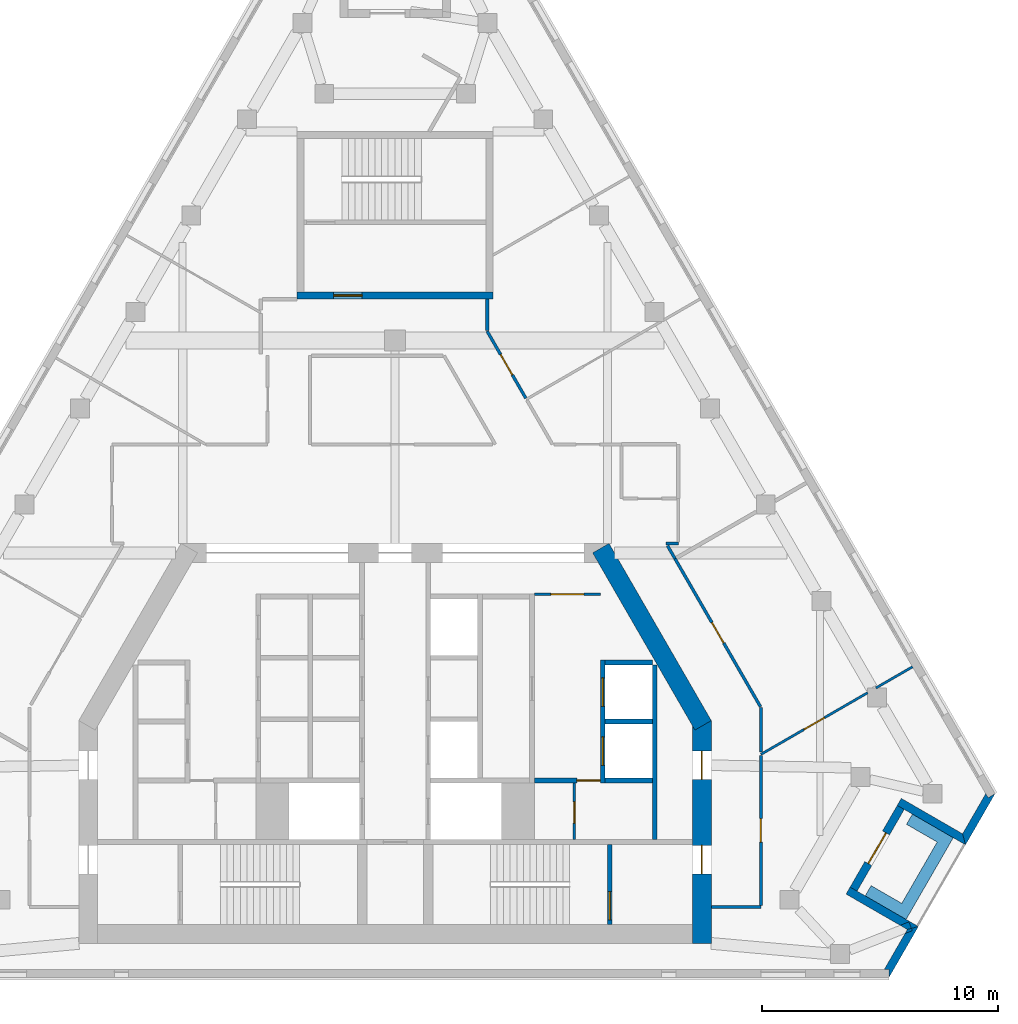
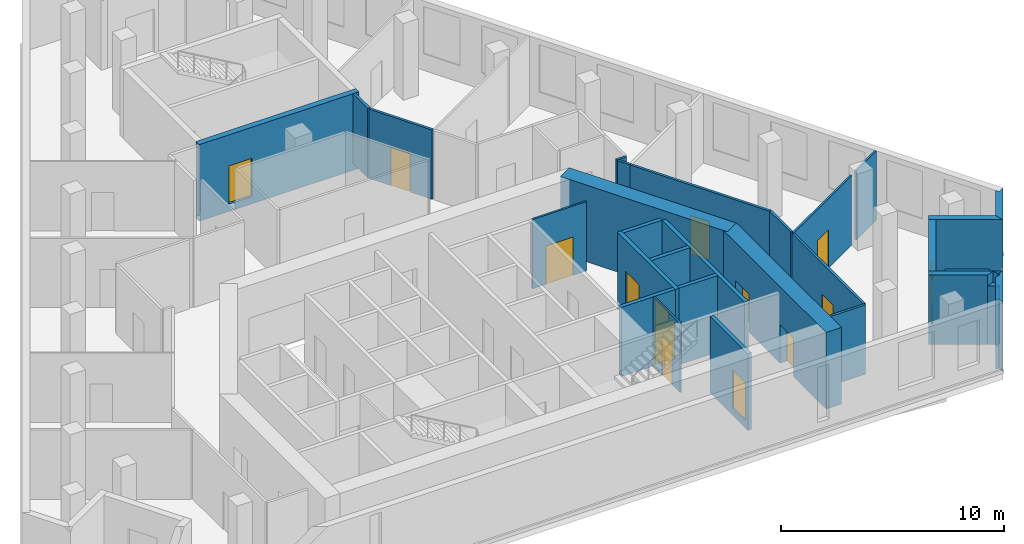
# One storey, part 5 of 9: 30 walls, 14 doors, 14 openings.
"""IFC4 building model written with IfcOpenShell, lengths in metres."""

from ifc_helpers import new_model, si_unit, direction, frame, frame_2d, origin, place, context, subcontext, project, spatial, polyline, rectangle, outline, extrude, material, layer, layer_set, type_object, element, fill, save


model = new_model("IFC4")

# Units and contexts
model_context = context("Model", 3, precision=1e-05, world=origin(), true_north=direction((0.0, 1.0)))
body_context = subcontext(model_context, "Body", "Model", "MODEL_VIEW")
ifc_project = project(units=[si_unit("LENGTHUNIT", "METRE"), si_unit("AREAUNIT", "SQUARE_METRE"), si_unit("VOLUMEUNIT", "CUBIC_METRE"), si_unit("PLANEANGLEUNIT", "RADIAN"), si_unit("MASSUNIT", "GRAM", prefix="KILO")], contexts=[model_context])

# Site, building, storey
site_placement = place(None, origin())
site = spatial("IfcSite", under=ifc_project, at=site_placement, CompositionType="ELEMENT")
building_placement = place(site_placement, origin())
building = spatial("IfcBuilding", under=site, at=building_placement, Name="Fogline Exchange Tower", CompositionType="ELEMENT")
storey_placement = place(building_placement, frame((0.0, 0.0, 283.5)))
storey = spatial("IfcBuildingStorey", under=building, at=storey_placement, Name="L64", CompositionType="ELEMENT", Elevation=283.5)

# Wall, opening, door
ifc_material_1 = material(Name="Blockwork partition", Category="masonry")
ifc_layer_1 = layer(ifc_material_1, 0.10009765625)
ifc_layer_set_1 = layer_set([ifc_layer_1], Name="CW10")
wall_type_1 = type_object("IfcWallType", Name="CW10", PredefinedType="PARTITIONING", material=ifc_layer_set_1)
wall_1_placement = place(storey_placement, frame((5.89990234375, 16.25, 0.0), z_axis=(0.0, 0.0, 1.0), x_axis=(1.0, 0.0, 0.0)))
wall_1 = element("IfcWall", 1, at=wall_1_placement, inside=storey, type_object=wall_type_1, Name="Lift lobby partition", PredefinedType="PARTITIONING", context=body_context, shape_type="SweptSolid", body=[
    extrude(rectangle(XDim=2.800048828125, YDim=0.10009765625, at=frame_2d((1.39990234375, 0.0))), origin(), (0.0, 0.0, 1.0), 3.800048828125),
])
opening_1_placement = place(wall_1_placement, frame((0.699951171875, 0.0, 0.0)))
opening_1 = element("IfcOpeningElement", 2, at=opening_1_placement, cuts=wall_1, Name="Opening T20-C017", PredefinedType="OPENING", context=body_context, shape_type="SweptSolid", body=[
    extrude(rectangle(XDim=1.39990234375, YDim=2.10009765625, at=frame_2d((0.699951171875, 1.050048828125))), frame((0.0, 0.06005859375, 0.0), z_axis=(0.0, -1.0, 0.0), x_axis=(1.0, 0.0, 0.0)), (0.0, 0.0, 1.0), 0.1201171875),
])
ifc_material_2 = material(Name="Steel and timber fire door", Category="steel")
door_type_1 = type_object("IfcDoorType", Name="D-LB1", OperationType="DOUBLE_DOOR_SINGLE_SWING", PredefinedType="DOOR", material=ifc_material_2)
door_1_placement = place(opening_1_placement, origin())
door_1 = element("IfcDoor", 3, at=door_1_placement, inside=storey, type_object=door_type_1, Name="Door to lift lobby", OperationType="DOUBLE_DOOR_SINGLE_SWING", OverallHeight=2.10009765625, OverallWidth=1.39990234375, PredefinedType="DOOR", context=body_context, shape_type="SweptSolid", body=[
    extrude(rectangle(XDim=1.39990234375, YDim=2.10009765625, at=frame_2d((0.699951171875, 1.050048828125))), frame((0.0, 0.02490234375, 0.0), z_axis=(0.0, -1.0, 0.0), x_axis=(1.0, 0.0, 0.0)), (0.0, 0.0, 1.0), 0.050048828125),
])
fill(opening_1, door_1)

wall_2_placement = place(storey_placement, frame((7.60009765625, 5.85009765625, 0.0), z_axis=(0.0, 0.0, 1.0), x_axis=(0.0, 1.0, 0.0)))
wall_2 = element("IfcWall", 4, at=wall_2_placement, inside=storey, type_object=wall_type_1, Name="WC partition", PredefinedType="PARTITIONING", context=body_context, shape_type="SweptSolid", body=[
    extrude(rectangle(XDim=2.39990234375, YDim=0.10009765625, at=frame_2d((1.199951171875, 0.0))), origin(), (0.0, 0.0, 1.0), 3.800048828125),
])
opening_2_placement = place(wall_2_placement, frame((0.699951171875, 0.0, 0.0)))
opening_2 = element("IfcOpeningElement", 5, at=opening_2_placement, cuts=wall_2, Name="Opening T20-C019", PredefinedType="OPENING", context=body_context, shape_type="SweptSolid", body=[
    extrude(rectangle(XDim=0.89990234375, YDim=2.10009765625, at=frame_2d((0.449951171875, 1.050048828125))), frame((0.0, 0.06005859375, 0.0), z_axis=(0.0, -1.0, 0.0), x_axis=(1.0, 0.0, 0.0)), (0.0, 0.0, 1.0), 0.1201171875),
])
door_type_2 = type_object("IfcDoorType", Name="D-CS1", OperationType="SINGLE_SWING_RIGHT", PredefinedType="DOOR", material=ifc_material_2)
door_2_placement = place(opening_2_placement, origin())
door_2 = element("IfcDoor", 6, at=door_2_placement, inside=storey, type_object=door_type_2, Name="Door to Cleaner's Store", OperationType="SINGLE_SWING_LEFT", OverallHeight=2.10009765625, OverallWidth=0.89990234375, PredefinedType="DOOR", context=body_context, shape_type="SweptSolid", body=[
    extrude(rectangle(XDim=0.89990234375, YDim=2.10009765625, at=frame_2d((0.449951171875, 1.050048828125))), frame((0.0, 0.02490234375, 0.0), z_axis=(0.0, -1.0, 0.0), x_axis=(1.0, 0.0, 0.0)), (0.0, 0.0, 1.0), 0.050048828125),
])
fill(opening_2, door_2)

# Wall
ifc_material_3 = material(Name="Concrete C40", Category="concrete")
ifc_layer_2 = layer(ifc_material_3, 0.199951171875)
ifc_layer_set_2 = layer_set([ifc_layer_2], Name="CW20")
wall_type_2 = type_object("IfcWallType", Name="CW20", PredefinedType="SOLIDWALL", material=ifc_layer_set_2)
wall_3_placement = place(storey_placement, frame((11.0, 5.85009765625, 0.0), z_axis=(0.0, 0.0, 1.0), x_axis=(0.0, 1.0, 0.0)))
element("IfcWall", 7, at=wall_3_placement, inside=storey, type_object=wall_type_2, Name="Service room wall", PredefinedType="SOLIDWALL", context=body_context, shape_type="SweptSolid", body=[
    extrude(rectangle(XDim=7.39990234375, YDim=0.199951171875, at=frame_2d((3.699951171875, 0.0))), origin(), (0.0, 0.0, 1.0), 3.800048828125),
])

# Wall, opening, door
wall_4_placement = place(storey_placement, frame((5.89990234375, 8.35009765625, 0.0), z_axis=(0.0, 0.0, 1.0), x_axis=(1.0, 0.0, 0.0)))
wall_4 = element("IfcWall", 8, at=wall_4_placement, inside=storey, type_object=wall_type_2, Name="WC wall", PredefinedType="SOLIDWALL", context=body_context, shape_type="SweptSolid", body=[
    extrude(rectangle(XDim=2.800048828125, YDim=0.199951171875, at=frame_2d((1.39990234375, 0.0))), origin(), (0.0, 0.0, 1.0), 3.800048828125),
])
opening_3_placement = place(wall_4_placement, frame((1.800048828125, 0.0, 0.0)))
opening_3 = element("IfcOpeningElement", 9, at=opening_3_placement, cuts=wall_4, Name="Opening T20-C018", PredefinedType="OPENING", context=body_context, shape_type="SweptSolid", body=[
    extrude(rectangle(XDim=1.0, YDim=2.10009765625, at=frame_2d((0.5, 1.050048828125))), frame((0.0, 0.10986328125, 0.0), z_axis=(0.0, -1.0, 0.0), x_axis=(1.0, 0.0, 0.0)), (0.0, 0.0, 1.0), 0.219970703125),
])
door_type_3 = type_object("IfcDoorType", Name="D-WC1", OperationType="SINGLE_SWING_LEFT", PredefinedType="DOOR", material=ifc_material_2)
door_3_placement = place(opening_3_placement, frame((1.0, 0.0, 0.0), z_axis=(0.0, 0.0, 1.0), x_axis=(-1.0, 0.0, 0.0)))
door_3 = element("IfcDoor", 10, at=door_3_placement, inside=storey, type_object=door_type_3, Name="Door to Women's WC", OperationType="SINGLE_SWING_LEFT", OverallHeight=2.10009765625, OverallWidth=1.0, PredefinedType="DOOR", context=body_context, shape_type="SweptSolid", body=[
    extrude(rectangle(XDim=1.0, YDim=2.10009765625, at=frame_2d((0.5, 1.050048828125))), frame((0.0, 0.02490234375, 0.0), z_axis=(0.0, -1.0, 0.0), x_axis=(1.0, 0.0, 0.0)), (0.0, 0.0, 1.0), 0.050048828125),
])
fill(opening_3, door_3)

ifc_layer_3 = layer(ifc_material_3, 0.199951171875)
ifc_layer_set_3 = layer_set([ifc_layer_3], Name="CW20R")
wall_type_3 = type_object("IfcWallType", Name="CW20R", PredefinedType="SOLIDWALL", material=ifc_layer_set_3)
wall_5_placement = place(storey_placement, frame((9.10009765625, 2.25, -0.39990234375), z_axis=(0.0, 0.0, 1.0), x_axis=(0.0, 1.0, 0.0)))
wall_5 = element("IfcWall", 11, at=wall_5_placement, inside=storey, type_object=wall_type_3, Name="Stair enclosure wall", PredefinedType="SOLIDWALL", context=body_context, shape_type="SweptSolid", body=[
    extrude(rectangle(XDim=3.39990234375, YDim=0.199951171875, at=frame_2d((1.699951171875, 0.0))), origin(), (0.0, 0.0, 1.0), 4.199951171875),
])
opening_4_placement = place(wall_5_placement, frame((0.199951171875, 0.0, 0.39990234375)))
opening_4 = element("IfcOpeningElement", 12, at=opening_4_placement, cuts=wall_5, Name="Opening T20-C021", PredefinedType="OPENING", context=body_context, shape_type="SweptSolid", body=[
    extrude(rectangle(XDim=1.199951171875, YDim=2.10009765625, at=frame_2d((0.60009765625, 1.050048828125))), frame((0.0, 0.10986328125, 0.0), z_axis=(0.0, -1.0, 0.0), x_axis=(1.0, 0.0, 0.0)), (0.0, 0.0, 1.0), 0.219970703125),
])
door_type_4 = type_object("IfcDoorType", Name="D-ST1", OperationType="SINGLE_SWING_LEFT", PredefinedType="DOOR", material=ifc_material_2)
door_4_placement = place(opening_4_placement, origin())
door_4 = element("IfcDoor", 13, at=door_4_placement, inside=storey, type_object=door_type_4, Name="Stair door ST2", OperationType="SINGLE_SWING_LEFT", OverallHeight=2.10009765625, OverallWidth=1.199951171875, PredefinedType="DOOR", context=body_context, shape_type="SweptSolid", body=[
    extrude(rectangle(XDim=1.199951171875, YDim=2.10009765625, at=frame_2d((0.60009765625, 1.050048828125))), frame((0.0, 0.02490234375, 0.0), z_axis=(0.0, -1.0, 0.0), x_axis=(1.0, 0.0, 0.0)), (0.0, 0.0, 1.0), 0.050048828125),
])
fill(opening_4, door_4)

# Wall, openings, doors
ifc_layer_4 = layer(ifc_material_3, 0.199951171875)
ifc_layer_set_4 = layer_set([ifc_layer_4], Name="CW20S")
wall_type_4 = type_object("IfcWallType", Name="CW20S", PredefinedType="SOLIDWALL", material=ifc_layer_set_4)
wall_6_placement = place(storey_placement, frame((8.800048828125, 8.25, -0.39990234375), z_axis=(0.0, 0.0, 1.0), x_axis=(0.0, 1.0, 0.0)))
wall_6 = element("IfcWall", 14, at=wall_6_placement, inside=storey, type_object=wall_type_4, Name="Lift shaft wall", PredefinedType="SOLIDWALL", context=body_context, shape_type="SweptSolid", body=[
    extrude(rectangle(XDim=5.199951171875, YDim=0.199951171875, at=frame_2d((2.60009765625, 0.0))), origin(), (0.0, 0.0, 1.0), 4.199951171875),
])
opening_5_placement = place(wall_6_placement, frame((0.75, 0.0, 0.39990234375)))
opening_5 = element("IfcOpeningElement", 15, at=opening_5_placement, cuts=wall_6, Name="Opening T20-LD02", PredefinedType="OPENING", context=body_context, shape_type="SweptSolid", body=[
    extrude(rectangle(XDim=1.199951171875, YDim=2.10009765625, at=frame_2d((0.60009765625, 1.050048828125))), frame((0.0, 0.10986328125, 0.0), z_axis=(0.0, -1.0, 0.0), x_axis=(1.0, 0.0, 0.0)), (0.0, 0.0, 1.0), 0.219970703125),
])
opening_6_placement = place(wall_6_placement, frame((3.25, 0.0, 0.39990234375)))
opening_6 = element("IfcOpeningElement", 16, at=opening_6_placement, cuts=wall_6, Name="Opening T20-LD03", PredefinedType="OPENING", context=body_context, shape_type="SweptSolid", body=[
    extrude(rectangle(XDim=1.199951171875, YDim=2.10009765625, at=frame_2d((0.60009765625, 1.050048828125))), frame((0.0, 0.10986328125, 0.0), z_axis=(0.0, -1.0, 0.0), x_axis=(1.0, 0.0, 0.0)), (0.0, 0.0, 1.0), 0.219970703125),
])
door_type_5 = type_object("IfcDoorType", Name="LD1", OperationType="SLIDING_TO_LEFT", PredefinedType="DOOR", material=ifc_material_2)
door_5_placement = place(opening_5_placement, origin())
door_5 = element("IfcDoor", 17, at=door_5_placement, inside=storey, type_object=door_type_5, Name="Landing door HR1", OperationType="SLIDING_TO_LEFT", OverallHeight=2.10009765625, OverallWidth=1.199951171875, PredefinedType="DOOR", context=body_context, shape_type="SweptSolid", body=[
    extrude(rectangle(XDim=1.199951171875, YDim=2.10009765625, at=frame_2d((0.60009765625, 1.050048828125))), frame((0.0, 0.02490234375, 0.0), z_axis=(0.0, -1.0, 0.0), x_axis=(1.0, 0.0, 0.0)), (0.0, 0.0, 1.0), 0.050048828125),
])
fill(opening_5, door_5)
door_6_placement = place(opening_6_placement, origin())
door_6 = element("IfcDoor", 18, at=door_6_placement, inside=storey, type_object=door_type_5, Name="Landing door HR2", OperationType="SLIDING_TO_LEFT", OverallHeight=2.10009765625, OverallWidth=1.199951171875, PredefinedType="DOOR", context=body_context, shape_type="SweptSolid", body=[
    extrude(rectangle(XDim=1.199951171875, YDim=2.10009765625, at=frame_2d((0.60009765625, 1.050048828125))), frame((0.0, 0.02490234375, 0.0), z_axis=(0.0, -1.0, 0.0), x_axis=(1.0, 0.0, 0.0)), (0.0, 0.0, 1.0), 0.050048828125),
])
fill(opening_6, door_6)

# Walls
for number, where, z_axis, x_axis, name in (
    (19, (8.89990234375, 8.35009765625, -0.39990234375), (0.0, 0.0, 1.0), (1.0, 0.0, 0.0), "Lift shaft wall"),
    (20, (8.89990234375, 10.85009765625, -0.39990234375), (0.0, 0.0, 1.0), (1.0, 0.0, 0.0), "Lift shaft wall"),
    (21, (8.89990234375, 13.35009765625, -0.39990234375), (0.0, 0.0, 1.0), (1.0, 0.0, 0.0), "Lift shaft wall"),
):
    element("IfcWall", number, at=place(storey_placement, frame(where, z_axis=z_axis, x_axis=x_axis)), inside=storey, type_object=wall_type_4, Name=name, PredefinedType="SOLIDWALL", context=body_context, shape_type="SweptSolid", body=[
        extrude(rectangle(XDim=2.0, YDim=0.199951171875, at=frame_2d((1.0, 0.0))), origin(), (0.0, 0.0, 1.0), 4.199951171875),
    ])

# Wall, opening, door
ifc_layer_5 = layer(ifc_material_3, 0.300048828125)
ifc_layer_set_5 = layer_set([ifc_layer_5], Name="CW30")
wall_type_5 = type_object("IfcWallType", Name="CW30", PredefinedType="SOLIDWALL", material=ifc_layer_set_5)
wall_7_placement = place(storey_placement, frame((-4.14990234375, 28.906982421875, -0.39990234375), z_axis=(0.0, 0.0, 1.0), x_axis=(1.0, 0.0, 0.0)))
wall_7 = element("IfcWall", 22, at=wall_7_placement, inside=storey, type_object=wall_type_5, Name="Stair enclosure wall ST3", PredefinedType="SOLIDWALL", context=body_context, shape_type="SweptSolid", body=[
    extrude(rectangle(XDim=8.2998046875, YDim=0.300048828125, at=frame_2d((4.14990234375, 0.0))), origin(), (0.0, 0.0, 1.0), 4.199951171875),
])
opening_7_placement = place(wall_7_placement, frame((1.550048828125, 0.0, 0.39990234375)))
opening_7 = element("IfcOpeningElement", 23, at=opening_7_placement, cuts=wall_7, Name="Opening T20-C026", PredefinedType="OPENING", context=body_context, shape_type="SweptSolid", body=[
    extrude(rectangle(XDim=1.199951171875, YDim=2.10009765625, at=frame_2d((0.60009765625, 1.050048828125))), frame((0.0, 0.16015625, 0.0), z_axis=(0.0, -1.0, 0.0), x_axis=(1.0, 0.0, 0.0)), (0.0, 0.0, 1.0), 0.320068359375),
])
door_type_6 = type_object("IfcDoorType", Name="D-FR1", OperationType="SINGLE_SWING_RIGHT", PredefinedType="DOOR", material=ifc_material_2)
door_7_placement = place(opening_7_placement, origin())
door_7 = element("IfcDoor", 24, at=door_7_placement, inside=storey, type_object=door_type_6, Name="Front room door ST3", OperationType="SINGLE_SWING_LEFT", OverallHeight=2.10009765625, OverallWidth=1.199951171875, PredefinedType="DOOR", context=body_context, shape_type="SweptSolid", body=[
    extrude(rectangle(XDim=1.199951171875, YDim=2.10009765625, at=frame_2d((0.60009765625, 1.050048828125))), frame((0.0, 0.02490234375, 0.0), z_axis=(0.0, -1.0, 0.0), x_axis=(1.0, 0.0, 0.0)), (0.0, 0.0, 1.0), 0.050048828125),
])
fill(opening_7, door_7)

# Walls
ifc_material_4 = material(Name="Brick masonry", Category="masonry")
ifc_layer_6 = layer(ifc_material_4, 0.340087890625)
ifc_layer_set_6 = layer_set([ifc_layer_6], Name="FW1")
wall_type_6 = type_object("IfcWallType", Name="FW1", PredefinedType="SOLIDWALL", material=ifc_layer_set_6)
wall_8_placement = place(storey_placement, origin())
element("IfcWall", 25, at=wall_8_placement, inside=storey, type_object=wall_type_6, Name="Brick wall L64 SE-c1", PredefinedType="SOLIDWALL", context=body_context, shape_type="SweptSolid", body=[
    extrude(outline(polyline([(21.709716796875, 2.041015625), (21.8818359375, 2.087158203125), (21.919921875, 1.99072265625), (21.610107421875, 1.86865234375), (21.709716796875, 2.041015625)])), origin(), (0.0, 0.0, 1.0), 3.199951171875),
])
wall_9_placement = place(storey_placement, origin())
element("IfcWall", 26, at=wall_9_placement, inside=storey, type_object=wall_type_6, Name="Brick wall L64 SE-c1", PredefinedType="SOLIDWALL", context=body_context, shape_type="SweptSolid", body=[
    extrude(outline(polyline([(20.924560546875, -0.001220703125), (20.924072265625, -0.0009765625), (20.924072265625, 0.33935546875), (20.727294921875, 0.33935546875), (21.610107421875, 1.86865234375), (21.919921875, 1.99072265625), (21.8818359375, 2.087158203125), (22.175537109375, 2.166015625), (22.175537109375, 2.165771484375), (20.924560546875, -0.001220703125)])), origin(), (0.0, 0.0, 1.0), 3.800048828125),
])
wall_10_placement = place(storey_placement, origin())
element("IfcWall", 27, at=wall_10_placement, inside=storey, type_object=wall_type_6, Name="Brick wall L64 SE-s1", PredefinedType="SOLIDWALL", context=body_context, shape_type="SweptSolid", body=[
    extrude(outline(polyline([(21.7099609375, 2.0400390625), (21.403076171875, 2.217041015625), (21.7734375, 2.36279296875), (21.88232421875, 2.086181640625), (21.7099609375, 2.0400390625)])), origin(), (0.0, 0.0, 1.0), 3.199951171875),
])
wall_11_placement = place(storey_placement, origin())
element("IfcWall", 28, at=wall_11_placement, inside=storey, type_object=wall_type_6, Name="Brick wall L64 SE-s1", PredefinedType="SOLIDWALL", context=body_context, shape_type="SweptSolid", body=[
    extrude(outline(polyline([(19.28173828125, 3.8359375), (19.576904296875, 3.66552734375), (22.17578125, 2.1650390625), (22.17578125, 2.164794921875), (21.88232421875, 2.086181640625), (21.7734375, 2.36279296875), (21.403076171875, 2.217041015625), (19.111328125, 3.540283203125), (19.28173828125, 3.8359375)])), origin(), (0.0, 0.0, 1.0), 3.800048828125),
])

# Wall, opening, door
wall_12_placement = place(storey_placement, frame((19.42919921875, 3.75, 0.0), z_axis=(0.0, 0.0, 1.0), x_axis=(0.49999894854, 0.866026010844, 0.0)))
wall_12 = element("IfcWall", 29, at=wall_12_placement, inside=storey, type_object=wall_type_6, Name="Brick wall L64 SE-bk", PredefinedType="SOLIDWALL", context=body_context, shape_type="SweptSolid", body=[
    extrude(rectangle(XDim=4.0, YDim=0.340087890625, at=frame_2d((2.0, 0.0))), origin(), (0.0, 0.0, 1.0), 3.800048828125),
])
opening_8_placement = place(wall_12_placement, frame((1.25, 0.0, 0.0)))
opening_8 = element("IfcOpeningElement", 30, at=opening_8_placement, cuts=wall_12, Name="Opening T20-E081", PredefinedType="OPENING", context=body_context, shape_type="SweptSolid", body=[
    extrude(rectangle(XDim=1.5, YDim=2.39990234375, at=frame_2d((0.75, 1.199951171875))), frame((0.0, 0.18017578125, 0.0), z_axis=(0.0, -1.0, 0.0), x_axis=(1.0, 0.0, 0.0)), (0.0, 0.0, 1.0), 0.360107421875),
])
ifc_material_5 = material(Name="Aluminium and glass", Category="aluminium")
door_type_7 = type_object("IfcDoorType", Name="ED4", OperationType="SINGLE_SWING_LEFT", PredefinedType="DOOR", material=ifc_material_5)
door_8_placement = place(opening_8_placement, frame((1.5, 0.0, 0.0), z_axis=(0.0, 0.0, 1.0), x_axis=(-1.0, 0.0, 0.0)))
door_8 = element("IfcDoor", 31, at=door_8_placement, inside=storey, type_object=door_type_7, Name="Balcony door L64 SE", OperationType="DOUBLE_DOOR_SINGLE_SWING", OverallHeight=2.39990234375, OverallWidth=1.5, PredefinedType="DOOR", context=body_context, shape_type="SweptSolid", body=[
    extrude(rectangle(XDim=1.5, YDim=2.39990234375, at=frame_2d((0.75, 1.199951171875))), frame((0.0, 0.02490234375, 0.0), z_axis=(0.0, -1.0, 0.0), x_axis=(1.0, 0.0, 0.0)), (0.0, 0.0, 1.0), 0.050048828125),
])
fill(opening_8, door_8)

# Walls
wall_13_placement = place(storey_placement, origin())
element("IfcWall", 32, at=wall_13_placement, inside=storey, type_object=wall_type_6, Name="Brick wall L64 SE-s2", PredefinedType="SOLIDWALL", context=body_context, shape_type="SweptSolid", body=[
    extrude(outline(polyline([(24.17529296875, 5.628173828125), (21.576171875, 7.128662109375), (21.28125, 7.298828125), (21.451904296875, 7.594482421875), (24.050537109375, 6.093994140625), (24.175537109375, 5.62841796875), (24.17529296875, 5.628173828125)])), origin(), (0.0, 0.0, 1.0), 3.800048828125),
])
wall_14_placement = place(storey_placement, origin())
element("IfcWall", 33, at=wall_14_placement, inside=storey, type_object=wall_type_6, Name="Brick wall L64 SE-c2", PredefinedType="SOLIDWALL", context=body_context, shape_type="SweptSolid", body=[
    extrude(outline(polyline([(25.031982421875, 7.79541015625), (25.13037109375, 7.625), (25.42529296875, 7.79541015625), (25.425537109375, 7.794921875), (24.174560546875, 5.6279296875), (24.17431640625, 5.6279296875), (24.049560546875, 6.09375), (25.031982421875, 7.79541015625)])), origin(), (0.0, 0.0, 1.0), 3.800048828125),
])
ifc_material_6 = material(Name="Concrete C30", Category="concrete")
ifc_layer_7 = layer(ifc_material_6, 0.199951171875)
ifc_layer_set_7 = layer_set([ifc_layer_7], Name="PL1")
wall_type_7 = type_object("IfcWallType", Name="PL1", PredefinedType="USERDEFINED", material=ifc_layer_set_7)
wall_15_placement = place(storey_placement, origin())
element("IfcWall", 34, at=wall_15_placement, inside=storey, type_object=wall_type_7, Name="PLANTER balcony L64 SE", ObjectType="PLANTER", PredefinedType="USERDEFINED", context=body_context, shape_type="SweptSolid", body=[
    extrude(outline(polyline([(19.9228515625, 3.465087890625), (21.221923828125, 2.715087890625), (21.221923828125, 2.715087890625), (21.655029296875, 2.465087890625), (23.405029296875, 5.49609375), (23.655029296875, 5.92919921875), (21.9228515625, 6.92919921875), (21.6728515625, 6.49609375), (22.971923828125, 5.74609375), (21.471923828125, 3.148193359375), (20.1728515625, 3.898193359375), (19.9228515625, 3.465087890625)])), origin(), (0.0, 0.0, 1.0), 1.10009765625),
])

# Wall, opening, door
ifc_material_7 = material(Name="Plasterboard partition, 2 layers each side on steel studs", Category="steel")
ifc_layer_8 = layer(ifc_material_7, 0.10009765625)
ifc_layer_set_8 = layer_set([ifc_layer_8], Name="PW1")
wall_type_8 = type_object("IfcWallType", Name="PW1", PredefinedType="PARTITIONING", material=ifc_layer_set_8)
wall_16_placement = place(storey_placement, frame((15.5, 9.4599609375, 0.0), z_axis=(0.0, 0.0, 1.0), x_axis=(0.866036909293, 0.499980071345, 0.0)))
wall_16 = element("IfcWall", 35, at=wall_16_placement, inside=storey, type_object=wall_type_8, Name="wall-L64-W046", PredefinedType="PARTITIONING", context=body_context, shape_type="SweptSolid", body=[
    extrude(rectangle(XDim=5.222900390625, YDim=0.10009765625, at=frame_2d((2.611328125, 0.0))), origin(), (0.0, 0.0, 1.0), 3.800048828125),
])
opening_9_placement = place(wall_16_placement, frame((2.111328125, 0.0, 0.0)))
opening_9 = element("IfcOpeningElement", 36, at=opening_9_placement, cuts=wall_16, Name="Opening T20-D016", PredefinedType="OPENING", context=body_context, shape_type="SweptSolid", body=[
    extrude(rectangle(XDim=1.0, YDim=2.10009765625, at=frame_2d((0.5, 1.050048828125))), frame((0.0, 0.06005859375, 0.0), z_axis=(0.0, -1.0, 0.0), x_axis=(1.0, 0.0, 0.0)), (0.0, 0.0, 1.0), 0.1201171875),
])
ifc_material_8 = material(Name="Timber door leaf with steel frame", Category="steel")
door_type_8 = type_object("IfcDoorType", Name="D1", OperationType="SINGLE_SWING_LEFT", PredefinedType="DOOR", material=ifc_material_8)
door_9_placement = place(opening_9_placement, origin())
door_9 = element("IfcDoor", 37, at=door_9_placement, inside=storey, type_object=door_type_8, Name="door-L64-D016", OperationType="SINGLE_SWING_LEFT", OverallHeight=2.10009765625, OverallWidth=1.0, PredefinedType="DOOR", context=body_context, shape_type="SweptSolid", body=[
    extrude(rectangle(XDim=1.0, YDim=2.10009765625, at=frame_2d((0.5, 1.050048828125))), frame((0.0, 0.02490234375, 0.0), z_axis=(0.0, -1.0, 0.0), x_axis=(1.0, 0.0, 0.0)), (0.0, 0.0, 1.0), 0.050048828125),
])
fill(opening_9, door_9)

# Walls
wall_17_placement = place(storey_placement, frame((20.37939453125, 12.277099609375, 0.0), z_axis=(0.0, 0.0, 1.0), x_axis=(0.866058244174, 0.499943114462, 0.0)))
element("IfcWall", 38, at=wall_17_placement, inside=storey, type_object=wall_type_8, Name="wall-L64-W047", PredefinedType="PARTITIONING", context=body_context, shape_type="SweptSolid", body=[
    extrude(rectangle(XDim=1.787841796875, YDim=0.10009765625, at=frame_2d((0.89404296875, 0.0))), origin(), (0.0, 0.0, 1.0), 3.800048828125),
])
ifc_material_9 = material(Name="Plasterboard corridor partition with mineral wool, 2 layers each side")
ifc_layer_9 = layer(ifc_material_9, 0.125)
ifc_layer_set_9 = layer_set([ifc_layer_9], Name="PW2")
wall_type_9 = type_object("IfcWallType", Name="PW2", PredefinedType="PARTITIONING", material=ifc_layer_set_9)
wall_18_placement = place(storey_placement, frame((11.54443359375, 18.305908203125, 0.0), z_axis=(0.0, 0.0, 1.0), x_axis=(0.499920965119, -0.866071029786, 0.0)))
element("IfcWall", 39, at=wall_18_placement, inside=storey, type_object=wall_type_9, Name="wall-L64-W001", PredefinedType="PARTITIONING", context=body_context, shape_type="SweptSolid", body=[
    extrude(rectangle(XDim=0.638671875, YDim=0.125, at=frame_2d((0.3193359375, 0.0))), origin(), (0.0, 0.0, 1.0), 3.800048828125),
])

# Wall, opening, door
wall_19_placement = place(storey_placement, frame((15.5, 9.416015625, 0.0), z_axis=(0.0, 0.0, 1.0), x_axis=(0.0, -1.0, 0.0)))
wall_19 = element("IfcWall", 40, at=wall_19_placement, inside=storey, type_object=wall_type_9, Name="wall-L64-W002", PredefinedType="PARTITIONING", context=body_context, shape_type="SweptSolid", body=[
    extrude(rectangle(XDim=6.353515625, YDim=0.125, at=frame_2d((3.1767578125, 0.0))), origin(), (0.0, 0.0, 1.0), 3.800048828125),
])
opening_10_placement = place(wall_19_placement, frame((2.6767578125, 0.0, 0.0)))
opening_10 = element("IfcOpeningElement", 41, at=opening_10_placement, cuts=wall_19, Name="Opening T20-D001", PredefinedType="OPENING", context=body_context, shape_type="SweptSolid", body=[
    extrude(rectangle(XDim=1.0, YDim=2.10009765625, at=frame_2d((0.5, 1.050048828125))), frame((0.0, 0.072509765625, 0.0), z_axis=(0.0, -1.0, 0.0), x_axis=(1.0, 0.0, 0.0)), (0.0, 0.0, 1.0), 0.14501953125),
])
ifc_material_10 = material(Name="Fire-rated timber door leaf with steel frame", Category="steel")
door_type_9 = type_object("IfcDoorType", Name="D3", OperationType="SINGLE_SWING_LEFT", PredefinedType="DOOR", material=ifc_material_10)
door_10_placement = place(opening_10_placement, origin())
door_10 = element("IfcDoor", 42, at=door_10_placement, inside=storey, type_object=door_type_9, Name="door-L64-D001", OperationType="SINGLE_SWING_LEFT", OverallHeight=2.10009765625, OverallWidth=1.0, PredefinedType="DOOR", context=body_context, shape_type="SweptSolid", body=[
    extrude(rectangle(XDim=1.0, YDim=2.10009765625, at=frame_2d((0.5, 1.050048828125))), frame((0.0, 0.02490234375, 0.0), z_axis=(0.0, -1.0, 0.0), x_axis=(1.0, 0.0, 0.0)), (0.0, 0.0, 1.0), 0.050048828125),
])
fill(opening_10, door_10)

# Wall
wall_20_placement = place(storey_placement, frame((15.5, 3.0, 0.0), z_axis=(0.0, 0.0, 1.0), x_axis=(-1.0, 0.0, 0.0)))
element("IfcWall", 43, at=wall_20_placement, inside=storey, type_object=wall_type_9, Name="wall-L64-W003", PredefinedType="PARTITIONING", context=body_context, shape_type="SweptSolid", body=[
    extrude(rectangle(XDim=2.10009765625, YDim=0.125, at=frame_2d((1.050048828125, 0.0))), origin(), (0.0, 0.0, 1.0), 3.800048828125),
])

# Wall, opening, door
wall_21_placement = place(storey_placement, frame((11.86376953125, 17.752685546875, 0.0), z_axis=(0.0, 0.0, 1.0), x_axis=(0.49998997746, -0.866031190223, 0.0)))
wall_21 = element("IfcWall", 44, at=wall_21_placement, inside=storey, type_object=wall_type_9, Name="wall-L64-W004", PredefinedType="PARTITIONING", context=body_context, shape_type="SweptSolid", body=[
    extrude(rectangle(XDim=7.241455078125, YDim=0.125, at=frame_2d((3.62060546875, 0.0))), origin(), (0.0, 0.0, 1.0), 3.800048828125),
])
opening_11_placement = place(wall_21_placement, frame((3.12060546875, 0.0, 0.0)))
opening_11 = element("IfcOpeningElement", 45, at=opening_11_placement, cuts=wall_21, Name="Opening T20-D002", PredefinedType="OPENING", context=body_context, shape_type="SweptSolid", body=[
    extrude(rectangle(XDim=1.0, YDim=2.10009765625, at=frame_2d((0.5, 1.050048828125))), frame((0.0, 0.072509765625, 0.0), z_axis=(0.0, -1.0, 0.0), x_axis=(1.0, 0.0, 0.0)), (0.0, 0.0, 1.0), 0.14501953125),
])
door_11_placement = place(opening_11_placement, origin())
door_11 = element("IfcDoor", 46, at=door_11_placement, inside=storey, type_object=door_type_9, Name="door-L64-D002", OperationType="SINGLE_SWING_LEFT", OverallHeight=2.10009765625, OverallWidth=1.0, PredefinedType="DOOR", context=body_context, shape_type="SweptSolid", body=[
    extrude(rectangle(XDim=1.0, YDim=2.10009765625, at=frame_2d((0.5, 1.050048828125))), frame((0.0, 0.02490234375, 0.0), z_axis=(0.0, -1.0, 0.0), x_axis=(1.0, 0.0, 0.0)), (0.0, 0.0, 1.0), 0.050048828125),
])
fill(opening_11, door_11)

# Walls
wall_22_placement = place(storey_placement, frame((15.5, 11.45458984375, 0.0), z_axis=(0.0, 0.0, 1.0), x_axis=(0.0, -1.0, 0.0)))
element("IfcWall", 47, at=wall_22_placement, inside=storey, type_object=wall_type_9, Name="wall-L64-W005", PredefinedType="PARTITIONING", context=body_context, shape_type="SweptSolid", body=[
    extrude(rectangle(XDim=1.900390625, YDim=0.125, at=frame_2d((0.9501953125, 0.0))), origin(), (0.0, 0.0, 1.0), 3.800048828125),
])
wall_23_placement = place(storey_placement, frame((12.0, 18.39990234375, 0.0), z_axis=(0.0, 0.0, 1.0), x_axis=(-1.0, 0.0, 0.0)))
element("IfcWall", 48, at=wall_23_placement, inside=storey, type_object=wall_type_9, Name="wall-L64-W010", PredefinedType="PARTITIONING", context=body_context, shape_type="SweptSolid", body=[
    extrude(rectangle(XDim=0.510009765625, YDim=0.125, at=frame_2d((0.2548828125, 0.0))), origin(), (0.0, 0.0, 1.0), 3.800048828125),
])

# Wall, opening, door
wall_24_placement = place(storey_placement, frame((3.89990234375, 27.39599609375, 0.0), z_axis=(0.0, 0.0, 1.0), x_axis=(0.499986396743, -0.866033257486, 0.0)))
wall_24 = element("IfcWall", 49, at=wall_24_placement, inside=storey, type_object=wall_type_9, Name="wall-L64-W029", PredefinedType="PARTITIONING", context=body_context, shape_type="SweptSolid", body=[
    extrude(rectangle(XDim=3.28271484375, YDim=0.125, at=frame_2d((1.641357421875, 0.0))), origin(), (0.0, 0.0, 1.0), 3.800048828125),
])
opening_12_placement = place(wall_24_placement, frame((1.141357421875, 0.0, 0.0)))
opening_12 = element("IfcOpeningElement", 50, at=opening_12_placement, cuts=wall_24, Name="Opening T20-D010", PredefinedType="OPENING", context=body_context, shape_type="SweptSolid", body=[
    extrude(rectangle(XDim=1.0, YDim=2.10009765625, at=frame_2d((0.5, 1.050048828125))), frame((0.0, 0.072509765625, 0.0), z_axis=(0.0, -1.0, 0.0), x_axis=(1.0, 0.0, 0.0)), (0.0, 0.0, 1.0), 0.14501953125),
])
door_12_placement = place(opening_12_placement, origin())
door_12 = element("IfcDoor", 51, at=door_12_placement, inside=storey, type_object=door_type_9, Name="door-L64-D010", OperationType="SINGLE_SWING_RIGHT", OverallHeight=2.10009765625, OverallWidth=1.0, PredefinedType="DOOR", context=body_context, shape_type="SweptSolid", body=[
    extrude(rectangle(XDim=1.0, YDim=2.10009765625, at=frame_2d((0.5, 1.050048828125))), frame((0.0, 0.02490234375, 0.0), z_axis=(0.0, -1.0, 0.0), x_axis=(1.0, 0.0, 0.0)), (0.0, 0.0, 1.0), 0.050048828125),
])
fill(opening_12, door_12)

# Wall
ifc_material_11 = material(Name="Plasterboard stair lobby partition, 3 layers each side on steel studs", Category="steel")
ifc_layer_10 = layer(ifc_material_11, 0.14990234375)
ifc_layer_set_10 = layer_set([ifc_layer_10], Name="PW4")
wall_type_10 = type_object("IfcWallType", Name="PW4", PredefinedType="PARTITIONING", material=ifc_layer_set_10)
wall_25_placement = place(storey_placement, frame((3.89990234375, 28.757080078125, 0.0), z_axis=(0.0, 0.0, 1.0), x_axis=(0.0, -1.0, 0.0)))
element("IfcWall", 52, at=wall_25_placement, inside=storey, type_object=wall_type_10, Name="wall-L64-W021", PredefinedType="PARTITIONING", context=body_context, shape_type="SweptSolid", body=[
    extrude(rectangle(XDim=1.330078125, YDim=0.14990234375, at=frame_2d((0.6650390625, 0.0))), origin(), (0.0, 0.0, 1.0), 3.800048828125),
])

# Wall, openings, doors
ifc_material_12 = material(Name="Concrete C50", Category="concrete")
ifc_layer_11 = layer(ifc_material_12, 0.800048828125)
ifc_layer_set_11 = layer_set([ifc_layer_11], Name="SW04")
wall_type_11 = type_object("IfcWallType", Name="SW04", PredefinedType="SHEAR", material=ifc_layer_set_11)
wall_26_placement = place(storey_placement, frame((13.0, 1.449951171875, 0.0), z_axis=(0.0, 0.0, 1.0), x_axis=(0.0, 1.0, 0.0)))
wall_26 = element("IfcWall", 53, at=wall_26_placement, inside=storey, type_object=wall_type_11, Name="L64-W902", PredefinedType="SHEAR", context=body_context, shape_type="SweptSolid", body=[
    extrude(rectangle(XDim=9.44189453125, YDim=0.800048828125, at=frame_2d((4.720947265625, 0.0))), origin(), (0.0, 0.0, 1.0), 4.199951171875),
])
opening_13_placement = place(wall_26_placement, frame((2.949951171875, 0.0, 0.0)))
opening_13 = element("IfcOpeningElement", 54, at=opening_13_placement, cuts=wall_26, Name="Opening T20-C020", PredefinedType="OPENING", context=body_context, shape_type="SweptSolid", body=[
    extrude(rectangle(XDim=1.199951171875, YDim=2.10009765625, at=frame_2d((0.60009765625, 1.050048828125))), frame((0.0, 0.41015625, 0.0), z_axis=(0.0, -1.0, 0.0), x_axis=(1.0, 0.0, 0.0)), (0.0, 0.0, 1.0), 0.820068359375),
])
opening_14_placement = place(wall_26_placement, frame((6.949951171875, 0.0, 0.0)))
opening_14 = element("IfcOpeningElement", 55, at=opening_14_placement, cuts=wall_26, Name="Opening T20-C022", PredefinedType="OPENING", context=body_context, shape_type="SweptSolid", body=[
    extrude(rectangle(XDim=1.199951171875, YDim=2.10009765625, at=frame_2d((0.60009765625, 1.050048828125))), frame((0.0, 0.41015625, 0.0), z_axis=(0.0, -1.0, 0.0), x_axis=(1.0, 0.0, 0.0)), (0.0, 0.0, 1.0), 0.820068359375),
])
door_13_placement = place(opening_13_placement, origin())
door_13 = element("IfcDoor", 56, at=door_13_placement, inside=storey, type_object=door_type_6, Name="Front room door ST2", OperationType="SINGLE_SWING_RIGHT", OverallHeight=2.10009765625, OverallWidth=1.199951171875, PredefinedType="DOOR", context=body_context, shape_type="SweptSolid", body=[
    extrude(rectangle(XDim=1.199951171875, YDim=2.10009765625, at=frame_2d((0.60009765625, 1.050048828125))), frame((0.0, 0.02490234375, 0.0), z_axis=(0.0, -1.0, 0.0), x_axis=(1.0, 0.0, 0.0)), (0.0, 0.0, 1.0), 0.050048828125),
])
fill(opening_13, door_13)
door_type_10 = type_object("IfcDoorType", Name="D-SV1", OperationType="SINGLE_SWING_LEFT", PredefinedType="DOOR", material=ifc_material_2)
door_14_placement = place(opening_14_placement, origin())
door_14 = element("IfcDoor", 57, at=door_14_placement, inside=storey, type_object=door_type_10, Name="Service door E", OperationType="SINGLE_SWING_RIGHT", OverallHeight=2.10009765625, OverallWidth=1.199951171875, PredefinedType="DOOR", context=body_context, shape_type="SweptSolid", body=[
    extrude(rectangle(XDim=1.199951171875, YDim=2.10009765625, at=frame_2d((0.60009765625, 1.050048828125))), frame((0.0, 0.02490234375, 0.0), z_axis=(0.0, -1.0, 0.0), x_axis=(1.0, 0.0, 0.0)), (0.0, 0.0, 1.0), 0.050048828125),
])
fill(opening_14, door_14)

# Wall
wall_27_placement = place(storey_placement, frame((13.0537109375, 10.69189453125, 0.0), z_axis=(0.0, 0.0, 1.0), x_axis=(-0.500015780397, 0.866016292776, 0.0)))
element("IfcWall", 58, at=wall_27_placement, inside=storey, type_object=wall_type_11, Name="L64-W903", PredefinedType="SHEAR", context=body_context, shape_type="SweptSolid", body=[
    extrude(rectangle(XDim=8.669677734375, YDim=0.800048828125, at=frame_2d((4.3349609375, 0.0))), origin(), (0.0, 0.0, 1.0), 4.199951171875),
])

save(model, "model.ifc")
